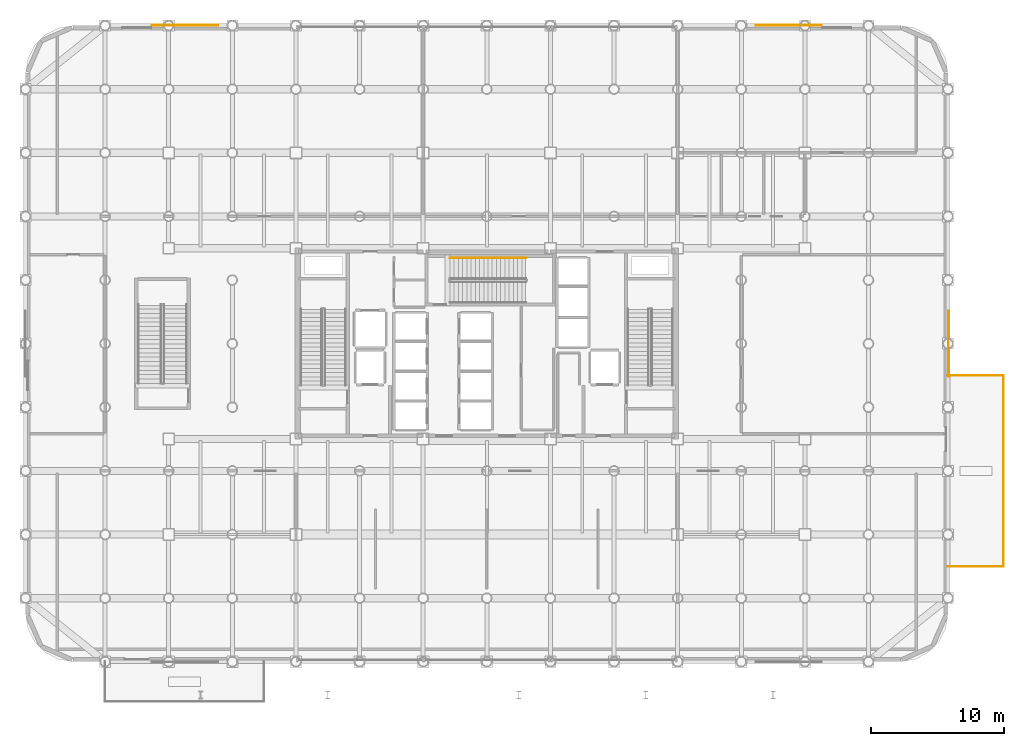
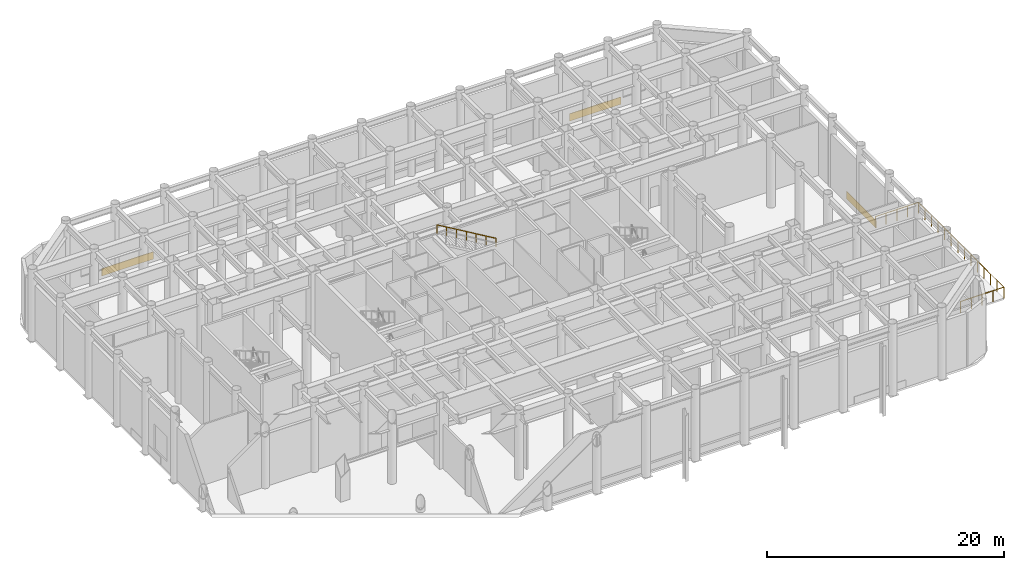
# One storey, part 23 of 23: 4 railings, 3 coverings.
"""IFC4 building model written with IfcOpenShell, lengths in metres."""

from ifc_helpers import new_model, si_unit, direction, frame, origin, origin_2d, place, context, subcontext, project, spatial, rectangle, circle, extrude, material, layer, layer_set, type_object, element, save


model = new_model("IFC4")

# Units and contexts
model_context = context("Model", 3, precision=1e-05, world=origin(), true_north=direction((0.0, 1.0)))
body_context = subcontext(model_context, "Body", "Model", "MODEL_VIEW")
ifc_project = project(units=[si_unit("LENGTHUNIT", "METRE"), si_unit("AREAUNIT", "SQUARE_METRE"), si_unit("VOLUMEUNIT", "CUBIC_METRE"), si_unit("PLANEANGLEUNIT", "RADIAN"), si_unit("MASSUNIT", "GRAM", prefix="KILO")], contexts=[model_context])

# Site, building, storey
site_placement = place(None, origin())
site = spatial("IfcSite", under=ifc_project, at=site_placement, CompositionType="ELEMENT")
building_placement = place(site_placement, origin())
building = spatial("IfcBuilding", under=site, at=building_placement, Name="Kallvorn Hotel Tower", CompositionType="ELEMENT")
storey_placement = place(building_placement, frame((0.0, 0.0, 12.0)))
storey = spatial("IfcBuildingStorey", under=building, at=storey_placement, Name="L02", CompositionType="ELEMENT", Elevation=12.0)

# Coverings
ifc_material_1 = material(Name="Precast basalt-clad insulated concrete wall C40/50", Category="masonry")
ifc_layer_1 = layer(ifc_material_1, 0.050048828125)
ifc_layer_set_1 = layer_set([ifc_layer_1], Name="COV_CLADDING_STONE")
covering_type = type_object("IfcCoveringType", Name="COV_CLADDING_STONE", PredefinedType="CLADDING", material=ifc_layer_set_1)
for number, where, z_axis, x_axis, name in (
    (1, (-22.77490234375, 24.030029296875, 0.02490234375), (0.0, 0.0, 1.0), (1.0, 0.0, 0.0), "L02 Basalt Spandrel Cladding EW-L02-NW"),
    (2, (22.77490234375, 24.030029296875, 0.02490234375), (0.0, 0.0, 1.0), (1.0, 0.0, 0.0), "L02 Basalt Spandrel Cladding EW-L02-NE"),
    (3, (34.830078125, 0.0, 0.02490234375), (0.0, 0.0, 1.0), (0.0, 1.0, 0.0), "L02 Basalt Spandrel Cladding EW-L02-E"),
):
    element("IfcCovering", number, at=place(storey_placement, frame(where, z_axis=z_axis, x_axis=x_axis)), inside=storey, type_object=covering_type, Name=name, PredefinedType="CLADDING", context=body_context, shape_type="SweptSolid", body=[
        extrude(rectangle(XDim=5.0, YDim=0.050048828125, at=origin_2d()), origin(), (0.0, 0.0, 1.0), 0.75),
    ])

# Railings
ifc_material_2 = material(Name="Galvanised painted steel S275JR balustrade", Category="steel")
ifc_layer_2 = layer(ifc_material_2, 0.06005859375)
ifc_layer_set_2 = layer_set([ifc_layer_2], Name="RL_BALUSTRADE_1150")
railing_type_1 = type_object("IfcRailingType", Name="RL_BALUSTRADE_1150", PredefinedType="BALUSTRADE", material=ifc_layer_set_2)
railing_1_placement = place(storey_placement, frame((34.800048828125, -16.800048828125, 0.0)))
element("IfcRailing", 4, at=railing_1_placement, inside=storey, type_object=railing_type_1, Name="L02 Exterior Safety Guardrail TER-L02-E-01", PredefinedType="BALUSTRADE", context=body_context, shape_type="SweptSolid", body=[
    extrude(circle(Radius=0.02392578125, at=origin_2d()), frame((0.0, 0.0, 1.1259765625), z_axis=(1.0, 0.0, 0.0), x_axis=(0.0, 1.0, 0.0)), (0.0, 0.0, 1.0), 4.199951171875),
    extrude(circle(Radius=0.02099609375, at=origin_2d()), origin(), (0.0, 0.0, 1.0), 1.101806640625),
    extrude(circle(Radius=0.02099609375, at=origin_2d()), frame((1.050048828125, 0.0, 0.0)), (0.0, 0.0, 1.0), 1.101806640625),
    extrude(circle(Radius=0.02099609375, at=origin_2d()), frame((2.10009765625, 0.0, 0.0)), (0.0, 0.0, 1.0), 1.101806640625),
    extrude(circle(Radius=0.02099609375, at=origin_2d()), frame((3.14990234375, 0.0, 0.0)), (0.0, 0.0, 1.0), 1.101806640625),
    extrude(circle(Radius=0.02099609375, at=origin_2d()), frame((4.199951171875, 0.0, 0.0)), (0.0, 0.0, 1.0), 1.101806640625),
])
railing_2_placement = place(storey_placement, frame((39.0, -16.800048828125, 0.0)))
element("IfcRailing", 5, at=railing_2_placement, inside=storey, type_object=railing_type_1, Name="L02 Exterior Safety Guardrail TER-L02-E-02", PredefinedType="BALUSTRADE", context=body_context, shape_type="SweptSolid", body=[
    extrude(circle(Radius=0.02392578125, at=origin_2d()), frame((0.0, 0.0, 1.1259765625), z_axis=(0.0, 1.0, 0.0), x_axis=(-1.0, 0.0, 0.0)), (0.0, 0.0, 1.0), 14.400146484375),
    extrude(circle(Radius=0.02099609375, at=origin_2d()), origin(), (0.0, 0.0, 1.0), 1.101806640625),
    extrude(circle(Radius=0.02099609375, at=origin_2d()), frame((0.0, 1.107666015625, 0.0)), (0.0, 0.0, 1.0), 1.101806640625),
    extrude(circle(Radius=0.02099609375, at=origin_2d()), frame((0.0, 2.21533203125, 0.0)), (0.0, 0.0, 1.0), 1.101806640625),
    extrude(circle(Radius=0.02099609375, at=origin_2d()), frame((0.0, 3.322998046875, 0.0)), (0.0, 0.0, 1.0), 1.101806640625),
    extrude(circle(Radius=0.02099609375, at=origin_2d()), frame((0.0, 4.430908203125, 0.0)), (0.0, 0.0, 1.0), 1.101806640625),
    extrude(circle(Radius=0.02099609375, at=origin_2d()), frame((0.0, 5.53857421875, 0.0)), (0.0, 0.0, 1.0), 1.101806640625),
    extrude(circle(Radius=0.02099609375, at=origin_2d()), frame((0.0, 6.646240234375, 0.0)), (0.0, 0.0, 1.0), 1.101806640625),
    extrude(circle(Radius=0.02099609375, at=origin_2d()), frame((0.0, 7.75390625, 0.0)), (0.0, 0.0, 1.0), 1.101806640625),
    extrude(circle(Radius=0.02099609375, at=origin_2d()), frame((0.0, 8.861572265625, 0.0)), (0.0, 0.0, 1.0), 1.101806640625),
    extrude(circle(Radius=0.02099609375, at=origin_2d()), frame((0.0, 9.96923828125, 0.0)), (0.0, 0.0, 1.0), 1.101806640625),
    extrude(circle(Radius=0.02099609375, at=origin_2d()), frame((0.0, 11.0771484375, 0.0)), (0.0, 0.0, 1.0), 1.101806640625),
    extrude(circle(Radius=0.02099609375, at=origin_2d()), frame((0.0, 12.184814453125, 0.0)), (0.0, 0.0, 1.0), 1.101806640625),
    extrude(circle(Radius=0.02099609375, at=origin_2d()), frame((0.0, 13.29248046875, 0.0)), (0.0, 0.0, 1.0), 1.101806640625),
    extrude(circle(Radius=0.02099609375, at=origin_2d()), frame((0.0, 14.400146484375, 0.0)), (0.0, 0.0, 1.0), 1.101806640625),
])
railing_3_placement = place(storey_placement, frame((39.0, -2.39990234375, 0.0)))
element("IfcRailing", 6, at=railing_3_placement, inside=storey, type_object=railing_type_1, Name="L02 Exterior Safety Guardrail TER-L02-E-03", PredefinedType="BALUSTRADE", context=body_context, shape_type="SweptSolid", body=[
    extrude(circle(Radius=0.02392578125, at=origin_2d()), frame((0.0, 0.0, 1.1259765625), z_axis=(-1.0, 0.0, 0.0), x_axis=(0.0, -1.0, 0.0)), (0.0, 0.0, 1.0), 4.199951171875),
    extrude(circle(Radius=0.02099609375, at=origin_2d()), origin(), (0.0, 0.0, 1.0), 1.101806640625),
    extrude(circle(Radius=0.02099609375, at=origin_2d()), frame((-1.050048828125, 0.0, 0.0)), (0.0, 0.0, 1.0), 1.101806640625),
    extrude(circle(Radius=0.02099609375, at=origin_2d()), frame((-2.10009765625, 0.0, 0.0)), (0.0, 0.0, 1.0), 1.101806640625),
    extrude(circle(Radius=0.02099609375, at=origin_2d()), frame((-3.14990234375, 0.0, 0.0)), (0.0, 0.0, 1.0), 1.101806640625),
    extrude(circle(Radius=0.02099609375, at=origin_2d()), frame((-4.199951171875, 0.0, 0.0)), (0.0, 0.0, 1.0), 1.101806640625),
])
ifc_material_3 = material(Name="Brushed stainless-steel tubular railing", Category="steel")
ifc_layer_3 = layer(ifc_material_3, 0.050048828125)
ifc_layer_set_3 = layer_set([ifc_layer_3], Name="RL_STAIR_HAND")
railing_type_2 = type_object("IfcRailingType", Name="RL_STAIR_HAND", PredefinedType="HANDRAIL", material=ifc_layer_set_3)
railing_4_placement = place(storey_placement, frame((2.969970703125, 6.4599609375, 3.78955078125)))
element("IfcRailing", 7, at=railing_4_placement, inside=storey, type_object=railing_type_2, Name="L02 ST3 stair handrail 2", PredefinedType="HANDRAIL", context=body_context, shape_type="SweptSolid", body=[
    extrude(circle(Radius=0.02392578125, at=origin_2d()), frame((0.0, 0.0, 0.8759765625), z_axis=(-0.860484014842, 0.0, 0.509477438364), x_axis=(0.0, -1.0, 0.0)), (0.0, 0.0, 1.0), 6.69384765625),
    extrude(circle(Radius=0.02099609375, at=origin_2d()), origin(), (0.0, 0.0, 1.0), 0.851806640625),
    extrude(circle(Radius=0.02099609375, at=origin_2d()), frame((-0.9599609375, 0.0, 0.568359375)), (0.0, 0.0, 1.0), 0.851806640625),
    extrude(circle(Radius=0.02099609375, at=origin_2d()), frame((-1.919921875, 0.0, 1.13671875)), (0.0, 0.0, 1.0), 0.851806640625),
    extrude(circle(Radius=0.02099609375, at=origin_2d()), frame((-2.8798828125, 0.0, 1.705078125)), (0.0, 0.0, 1.0), 0.851806640625),
    extrude(circle(Radius=0.02099609375, at=origin_2d()), frame((-3.840087890625, 0.0, 2.273681640625)), (0.0, 0.0, 1.0), 0.851806640625),
    extrude(circle(Radius=0.02099609375, at=origin_2d()), frame((-4.800048828125, 0.0, 2.842041015625)), (0.0, 0.0, 1.0), 0.851806640625),
    extrude(circle(Radius=0.02099609375, at=origin_2d()), frame((-5.760009765625, 0.0, 3.410400390625)), (0.0, 0.0, 1.0), 0.851806640625),
])

save(model, "model.ifc")
